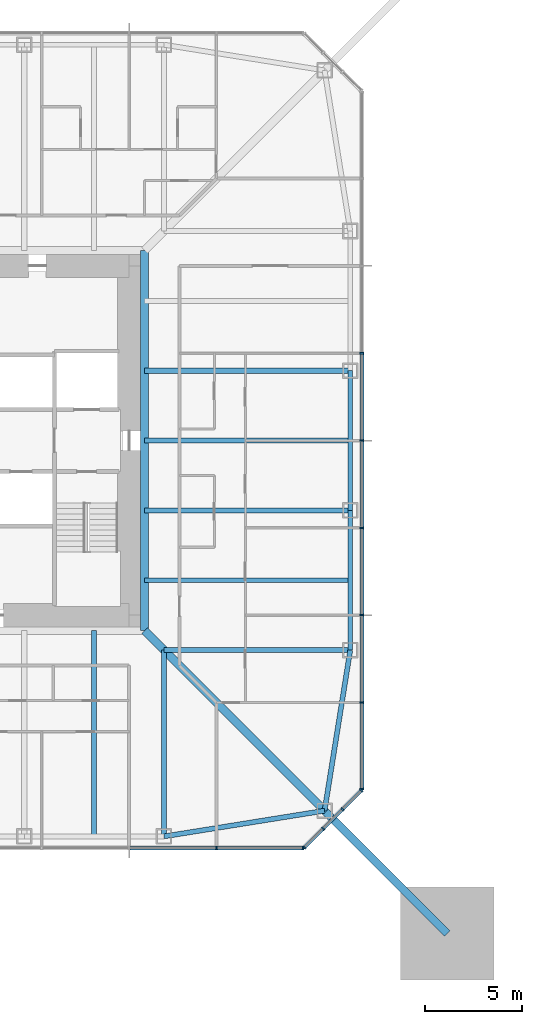
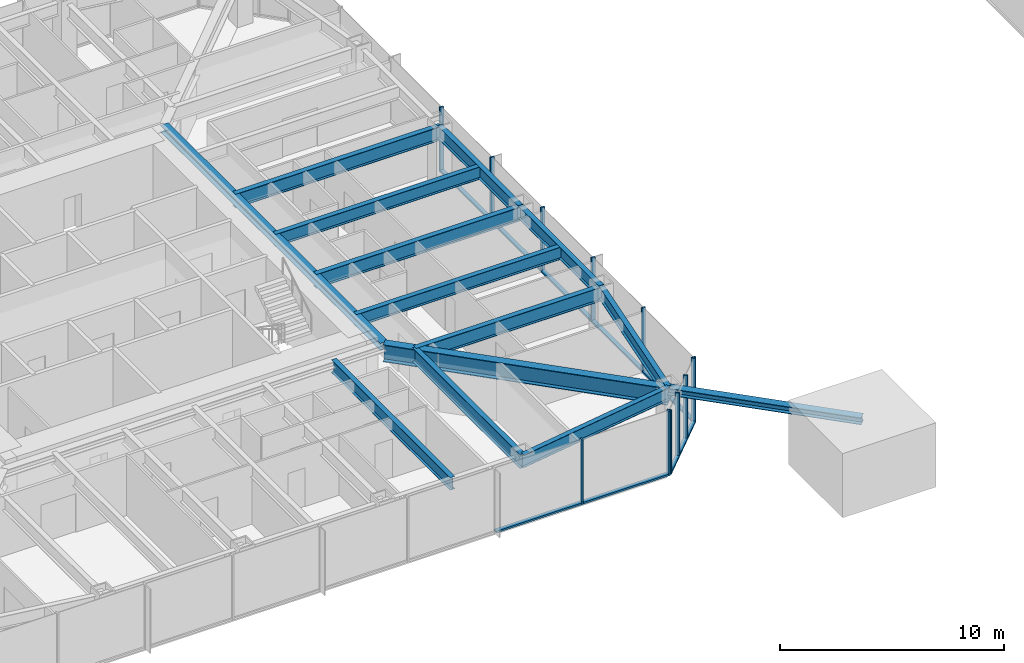
# One storey, part 5 of 25: 23 members, 13 beams, 3 elements without a shape of their own.
"""IFC4 building model written with IfcOpenShell, lengths in metres."""

from ifc_helpers import new_model, si_unit, direction, frame, origin, origin_2d, place, context, subcontext, project, spatial, rectangle, i_section, extrude, material, material_profile, profile_set, type_object, element, aggregate, save


model = new_model("IFC4")

# Units and contexts
model_context = context("Model", 3, precision=1e-05, world=origin(), true_north=direction((0.0, 1.0)))
body_context = subcontext(model_context, "Body", "Model", "MODEL_VIEW")
ifc_project = project(units=[si_unit("LENGTHUNIT", "METRE"), si_unit("AREAUNIT", "SQUARE_METRE"), si_unit("VOLUMEUNIT", "CUBIC_METRE"), si_unit("PLANEANGLEUNIT", "RADIAN"), si_unit("MASSUNIT", "GRAM", prefix="KILO")], contexts=[model_context])

# Site, building, storey
site_placement = place(None, origin())
site = spatial("IfcSite", under=ifc_project, at=site_placement, CompositionType="ELEMENT")
building_placement = place(site_placement, origin())
building = spatial("IfcBuilding", under=site, at=building_placement, Name="Iwan Alto Co-Living Towers", CompositionType="ELEMENT")
storey_placement = place(building_placement, frame((0.0, 0.0, 112.0)))
storey = spatial("IfcBuildingStorey", under=building, at=storey_placement, Name="L30", CompositionType="ELEMENT", Elevation=112.0)

# Curtain wall, members
ifc_material_1 = material(Name="Bronze aluminium unitised frame", Category="aluminium")
curtain_wall_type_1 = type_object("IfcCurtainWallType", Name="CURTAIN WALL CW-A", PredefinedType="NOTDEFINED", material=ifc_material_1)
curtain_wall_1_placement = place(storey_placement, origin())
curtain_wall_1 = element("IfcCurtainWall", 1, at=curtain_wall_1_placement, inside=storey, type_object=curtain_wall_type_1, Name="T1 curtain wall S L30", PredefinedType="NOTDEFINED")
ifc_material_2 = material(Name="Aluminium 6063-T6 bronze anodised", Category="aluminium")
ifc_material_profile_1 = material_profile(ifc_material_2, rectangle(XDim=0.199951171875, YDim=0.080078125, at=origin_2d()), Name="AL 80X200")
ifc_profile_set_1 = profile_set([ifc_material_profile_1], Name="Aluminium 6063-T6 bronze anodised")
member_type_1 = type_object("IfcMemberType", Name="CW-A MULLION 80X200", PredefinedType="MULLION", material=ifc_profile_set_1)
member_1_placement = place(storey_placement, frame((13.5, -21.0, 0.0), z_axis=(0.0, 0.0, 1.0), x_axis=(0.0, 1.0, 0.0)))
member_1 = element("IfcMember", 2, at=member_1_placement, type_object=member_type_1, Name="CW-A mullion 8", PredefinedType="MULLION", context=body_context, shape_type="SweptSolid", body=[
    extrude(rectangle(XDim=0.199951171875, YDim=0.080078125, at=origin_2d()), origin(), (0.0, 0.0, 1.0), 3.5),
])
member_2_placement = place(storey_placement, frame((17.9599609375, -21.0, 0.0), z_axis=(0.0, 0.0, 1.0), x_axis=(0.0, 1.0, 0.0)))
member_2 = element("IfcMember", 3, at=member_2_placement, type_object=member_type_1, Name="CW-A mullion 9", PredefinedType="MULLION", context=body_context, shape_type="SweptSolid", body=[
    extrude(rectangle(XDim=0.199951171875, YDim=0.080078125, at=origin_2d()), origin(), (0.0, 0.0, 1.0), 3.5),
])

curtain_wall_2_placement = place(storey_placement, origin())
curtain_wall_2 = element("IfcCurtainWall", 4, at=curtain_wall_2_placement, inside=storey, type_object=curtain_wall_type_1, Name="T1 curtain wall E L30", PredefinedType="NOTDEFINED")
member_3_placement = place(storey_placement, frame((21.0, -17.9599609375, 0.0), z_axis=(0.0, 0.0, 1.0), x_axis=(-1.0, 0.0, 0.0)))
member_3 = element("IfcMember", 5, at=member_3_placement, type_object=member_type_1, Name="CW-A mullion 1", PredefinedType="MULLION", context=body_context, shape_type="SweptSolid", body=[
    extrude(rectangle(XDim=0.199951171875, YDim=0.080078125, at=origin_2d()), origin(), (0.0, 0.0, 1.0), 3.5),
])
member_4_placement = place(storey_placement, frame((21.0, -13.5, 0.0), z_axis=(0.0, 0.0, 1.0), x_axis=(-1.0, 0.0, 0.0)))
member_4 = element("IfcMember", 6, at=member_4_placement, type_object=member_type_1, Name="CW-A mullion 2", PredefinedType="MULLION", context=body_context, shape_type="SweptSolid", body=[
    extrude(rectangle(XDim=0.199951171875, YDim=0.080078125, at=origin_2d()), origin(), (0.0, 0.0, 1.0), 3.5),
])
member_5_placement = place(storey_placement, frame((21.0, -9.0, 0.0), z_axis=(0.0, 0.0, 1.0), x_axis=(-1.0, 0.0, 0.0)))
member_5 = element("IfcMember", 7, at=member_5_placement, type_object=member_type_1, Name="CW-A mullion 3", PredefinedType="MULLION", context=body_context, shape_type="SweptSolid", body=[
    extrude(rectangle(XDim=0.199951171875, YDim=0.080078125, at=origin_2d()), origin(), (0.0, 0.0, 1.0), 3.5),
])
member_6_placement = place(storey_placement, frame((21.0, -4.5, 0.0), z_axis=(0.0, 0.0, 1.0), x_axis=(-1.0, 0.0, 0.0)))
member_6 = element("IfcMember", 8, at=member_6_placement, type_object=member_type_1, Name="CW-A mullion 4", PredefinedType="MULLION", context=body_context, shape_type="SweptSolid", body=[
    extrude(rectangle(XDim=0.199951171875, YDim=0.080078125, at=origin_2d()), origin(), (0.0, 0.0, 1.0), 3.5),
])
member_7_placement = place(storey_placement, frame((21.0, 0.0, 0.0), z_axis=(0.0, 0.0, 1.0), x_axis=(-1.0, 0.0, 0.0)))
member_7 = element("IfcMember", 9, at=member_7_placement, type_object=member_type_1, Name="CW-A mullion 5", PredefinedType="MULLION", context=body_context, shape_type="SweptSolid", body=[
    extrude(rectangle(XDim=0.199951171875, YDim=0.080078125, at=origin_2d()), origin(), (0.0, 0.0, 1.0), 3.5),
])
member_8_placement = place(storey_placement, frame((21.0, 4.5, 0.0), z_axis=(0.0, 0.0, 1.0), x_axis=(-1.0, 0.0, 0.0)))
member_8 = element("IfcMember", 10, at=member_8_placement, type_object=member_type_1, Name="CW-A mullion 6", PredefinedType="MULLION", context=body_context, shape_type="SweptSolid", body=[
    extrude(rectangle(XDim=0.199951171875, YDim=0.080078125, at=origin_2d()), origin(), (0.0, 0.0, 1.0), 3.5),
])

# Member
ifc_material_3 = material(Name="Aluminium 6063-T6 bronze anodised", Category="aluminium")
ifc_material_profile_2 = material_profile(ifc_material_3, rectangle(XDim=0.199951171875, YDim=0.10009765625, at=origin_2d()), Name="AL 200X100")
ifc_profile_set_2 = profile_set([ifc_material_profile_2], Name="Aluminium 6063-T6 bronze anodised")
member_type_2 = type_object("IfcMemberType", Name="CW-A TRANSOM 200X100", PredefinedType="USERDEFINED", material=ifc_profile_set_2)
member_9_placement = place(storey_placement, frame((9.0400390625, -21.0, 0.050048828125), z_axis=(1.0, 0.0, 0.0), x_axis=(0.0, 1.0, 0.0)))
member_9 = element("IfcMember", 11, at=member_9_placement, type_object=member_type_2, Name="CW-A transom 7.1", ObjectType="TRANSOM", PredefinedType="USERDEFINED", context=body_context, shape_type="SweptSolid", body=[
    extrude(rectangle(XDim=0.199951171875, YDim=0.10009765625, at=origin_2d()), origin(), (0.0, 0.0, 1.0), 4.419921875),
])

member_10_placement = place(storey_placement, frame((13.5400390625, -21.0, 0.050048828125), z_axis=(1.0, 0.0, 0.0), x_axis=(0.0, 1.0, 0.0)))
member_10 = element("IfcMember", 12, at=member_10_placement, type_object=member_type_2, Name="CW-A transom 8.1", ObjectType="TRANSOM", PredefinedType="USERDEFINED", context=body_context, shape_type="SweptSolid", body=[
    extrude(rectangle(XDim=0.199951171875, YDim=0.10009765625, at=origin_2d()), origin(), (0.0, 0.0, 1.0), 4.3798828125),
])

aggregate(curtain_wall_1, [member_1, member_2, member_9, member_10])

member_11_placement = place(storey_placement, frame((21.0, -17.919921875, 0.050048828125), z_axis=(0.0, 1.0, 0.0), x_axis=(-1.0, 0.0, 0.0)))
member_11 = element("IfcMember", 13, at=member_11_placement, type_object=member_type_2, Name="CW-A transom 1.1", ObjectType="TRANSOM", PredefinedType="USERDEFINED", context=body_context, shape_type="SweptSolid", body=[
    extrude(rectangle(XDim=0.199951171875, YDim=0.10009765625, at=origin_2d()), origin(), (0.0, 0.0, 1.0), 4.3798828125),
])

member_12_placement = place(storey_placement, frame((21.0, -13.4599609375, 0.050048828125), z_axis=(0.0, 1.0, 0.0), x_axis=(-1.0, 0.0, 0.0)))
member_12 = element("IfcMember", 14, at=member_12_placement, type_object=member_type_2, Name="CW-A transom 2.1", ObjectType="TRANSOM", PredefinedType="USERDEFINED", context=body_context, shape_type="SweptSolid", body=[
    extrude(rectangle(XDim=0.199951171875, YDim=0.10009765625, at=origin_2d()), origin(), (0.0, 0.0, 1.0), 4.419921875),
])

member_13_placement = place(storey_placement, frame((21.0, -8.9599609375, 0.050048828125), z_axis=(0.0, 1.0, 0.0), x_axis=(-1.0, 0.0, 0.0)))
member_13 = element("IfcMember", 15, at=member_13_placement, type_object=member_type_2, Name="CW-A transom 3.1", ObjectType="TRANSOM", PredefinedType="USERDEFINED", context=body_context, shape_type="SweptSolid", body=[
    extrude(rectangle(XDim=0.199951171875, YDim=0.10009765625, at=origin_2d()), origin(), (0.0, 0.0, 1.0), 4.419921875),
])

member_14_placement = place(storey_placement, frame((21.0, -4.4599609375, 0.050048828125), z_axis=(0.0, 1.0, 0.0), x_axis=(-1.0, 0.0, 0.0)))
member_14 = element("IfcMember", 16, at=member_14_placement, type_object=member_type_2, Name="CW-A transom 4.1", ObjectType="TRANSOM", PredefinedType="USERDEFINED", context=body_context, shape_type="SweptSolid", body=[
    extrude(rectangle(XDim=0.199951171875, YDim=0.10009765625, at=origin_2d()), origin(), (0.0, 0.0, 1.0), 4.419921875),
])

member_15_placement = place(storey_placement, frame((21.0, 0.0400390625, 0.050048828125), z_axis=(0.0, 1.0, 0.0), x_axis=(-1.0, 0.0, 0.0)))
member_15 = element("IfcMember", 17, at=member_15_placement, type_object=member_type_2, Name="CW-A transom 5.1", ObjectType="TRANSOM", PredefinedType="USERDEFINED", context=body_context, shape_type="SweptSolid", body=[
    extrude(rectangle(XDim=0.199951171875, YDim=0.10009765625, at=origin_2d()), origin(), (0.0, 0.0, 1.0), 4.419921875),
])

aggregate(curtain_wall_2, [member_3, member_4, member_5, member_6, member_7, member_8, member_11, member_12, member_13, member_14, member_15])

# Curtain wall, members
ifc_material_4 = material(Name="Bronze aluminium unitised frame", Category="aluminium")
curtain_wall_type_2 = type_object("IfcCurtainWallType", Name="CURTAIN WALL CW-B", PredefinedType="NOTDEFINED", material=ifc_material_4)
curtain_wall_3_placement = place(storey_placement, origin())
curtain_wall_3 = element("IfcCurtainWall", 18, at=curtain_wall_3_placement, inside=storey, type_object=curtain_wall_type_2, Name="T1 chamfer curtain wall SE L30", PredefinedType="NOTDEFINED")
ifc_material_5 = material(Name="Aluminium 6063-T6 bronze anodised", Category="aluminium")
ifc_material_profile_3 = material_profile(ifc_material_5, rectangle(XDim=0.199951171875, YDim=0.080078125, at=origin_2d()), Name="AL 80X200")
ifc_profile_set_3 = profile_set([ifc_material_profile_3], Name="Aluminium 6063-T6 bronze anodised")
member_type_3 = type_object("IfcMemberType", Name="CW-B MULLION 80X200", PredefinedType="MULLION", material=ifc_profile_set_3)
member_16_placement = place(storey_placement, frame((18.0283203125, -20.9716796875, 0.0), z_axis=(0.0, 0.0, 1.0), x_axis=(-0.707106781187, 0.707106781187, 0.0)))
member_16 = element("IfcMember", 19, at=member_16_placement, type_object=member_type_3, Name="CW-B mullion 1", PredefinedType="MULLION", context=body_context, shape_type="SweptSolid", body=[
    extrude(rectangle(XDim=0.199951171875, YDim=0.080078125, at=origin_2d()), origin(), (0.0, 0.0, 1.0), 3.5),
])
member_17_placement = place(storey_placement, frame((19.0, -20.0, 0.0), z_axis=(0.0, 0.0, 1.0), x_axis=(-0.707106781187, 0.707106781187, 0.0)))
member_17 = element("IfcMember", 20, at=member_17_placement, type_object=member_type_3, Name="CW-B mullion 2", PredefinedType="MULLION", context=body_context, shape_type="SweptSolid", body=[
    extrude(rectangle(XDim=0.199951171875, YDim=0.080078125, at=origin_2d()), origin(), (0.0, 0.0, 1.0), 3.5),
])
member_18_placement = place(storey_placement, frame((20.0, -19.0, 0.0), z_axis=(0.0, 0.0, 1.0), x_axis=(-0.707106781187, 0.707106781187, 0.0)))
member_18 = element("IfcMember", 21, at=member_18_placement, type_object=member_type_3, Name="CW-B mullion 3", PredefinedType="MULLION", context=body_context, shape_type="SweptSolid", body=[
    extrude(rectangle(XDim=0.199951171875, YDim=0.080078125, at=origin_2d()), origin(), (0.0, 0.0, 1.0), 3.5),
])
member_19_placement = place(storey_placement, frame((20.9716796875, -18.0283203125, 0.0), z_axis=(0.0, 0.0, 1.0), x_axis=(-0.707106781187, 0.707106781187, 0.0)))
member_19 = element("IfcMember", 22, at=member_19_placement, type_object=member_type_3, Name="CW-B mullion 4", PredefinedType="MULLION", context=body_context, shape_type="SweptSolid", body=[
    extrude(rectangle(XDim=0.199951171875, YDim=0.080078125, at=origin_2d()), origin(), (0.0, 0.0, 1.0), 3.5),
])
ifc_material_6 = material(Name="Aluminium 6063-T6 bronze anodised", Category="aluminium")
ifc_material_profile_4 = material_profile(ifc_material_6, rectangle(XDim=0.199951171875, YDim=0.10009765625, at=origin_2d()), Name="AL 200X100")
ifc_profile_set_4 = profile_set([ifc_material_profile_4], Name="Aluminium 6063-T6 bronze anodised")
member_type_4 = type_object("IfcMemberType", Name="CW-B TRANSOM 200X100", PredefinedType="USERDEFINED", material=ifc_profile_set_4)
member_20_placement = place(storey_placement, frame((18.056640625, -20.943359375, 0.050048828125), z_axis=(0.707106781187, 0.707106781187, 0.0), x_axis=(-0.707106781187, 0.707106781187, 0.0)))
member_20 = element("IfcMember", 23, at=member_20_placement, type_object=member_type_4, Name="CW-B transom 1.1", ObjectType="TRANSOM", PredefinedType="USERDEFINED", context=body_context, shape_type="SweptSolid", body=[
    extrude(rectangle(XDim=0.199951171875, YDim=0.10009765625, at=origin_2d()), origin(), (0.0, 0.0, 1.0), 1.2939453125),
])
member_21_placement = place(storey_placement, frame((19.0283203125, -19.9716796875, 0.050048828125), z_axis=(0.707106781187, 0.707106781187, 0.0), x_axis=(-0.707106781187, 0.707106781187, 0.0)))
member_21 = element("IfcMember", 24, at=member_21_placement, type_object=member_type_4, Name="CW-B transom 2.1", ObjectType="TRANSOM", PredefinedType="USERDEFINED", context=body_context, shape_type="SweptSolid", body=[
    extrude(rectangle(XDim=0.199951171875, YDim=0.10009765625, at=origin_2d()), origin(), (0.0, 0.0, 1.0), 1.334228515625),
])
member_22_placement = place(storey_placement, frame((20.0283203125, -18.9716796875, 0.050048828125), z_axis=(0.707106781187, 0.707106781187, 0.0), x_axis=(-0.707106781187, 0.707106781187, 0.0)))
member_22 = element("IfcMember", 25, at=member_22_placement, type_object=member_type_4, Name="CW-B transom 3.1", ObjectType="TRANSOM", PredefinedType="USERDEFINED", context=body_context, shape_type="SweptSolid", body=[
    extrude(rectangle(XDim=0.199951171875, YDim=0.10009765625, at=origin_2d()), origin(), (0.0, 0.0, 1.0), 1.2939453125),
])
aggregate(curtain_wall_3, [member_16, member_17, member_18, member_19, member_20, member_21, member_22])

# Beams
ifc_material_7 = material(Name="Steel ASTM A992 Gr 50", Category="steel")
ifc_material_profile_5 = material_profile(ifc_material_7, i_section(OverallWidth=0.398681640625, OverallDepth=0.385986328125, WebThickness=0.02099609375, FlangeThickness=0.033203125, at=origin_2d()), Name="W14X176")
ifc_profile_set_5 = profile_set([ifc_material_profile_5], Name="Steel ASTM A992 Gr 50")
beam_type_1 = type_object("IfcBeamType", Name="T1 CORE LEDGER BEAM W14X176", PredefinedType="BEAM", material=ifc_profile_set_5)
beam_1_placement = place(storey_placement, frame((9.79931640625, -9.79931640625, 3.076904296875), z_axis=(0.0, 1.0, 0.0), x_axis=(-1.0, 0.0, 0.0)))
element("IfcBeam", 26, at=beam_1_placement, inside=storey, type_object=beam_type_1, Name="T1 core ledger beam E L31", PredefinedType="BEAM", context=body_context, shape_type="SweptSolid", body=[
    extrude(i_section(OverallWidth=0.398681640625, OverallDepth=0.385986328125, WebThickness=0.02099609375, FlangeThickness=0.033203125, at=origin_2d()), origin(), (0.0, 0.0, 1.0), 19.5986328125),
])
ifc_material_8 = material(Name="Steel ASTM A992 Gr 50", Category="steel")
ifc_material_profile_6 = material_profile(ifc_material_8, i_section(OverallWidth=0.419189453125, OverallDepth=0.927001953125, WebThickness=0.019287109375, FlangeThickness=0.031982421875, at=origin_2d()), Name="W36X231")
ifc_profile_set_6 = profile_set([ifc_material_profile_6], Name="Steel ASTM A992 Gr 50")
beam_type_2 = type_object("IfcBeamType", Name="T1 CORNER GIRDER W36X231", PredefinedType="BEAM", material=ifc_profile_set_6)
beam_2_placement = place(storey_placement, frame((19.07568359375, -19.07568359375, 2.806396484375), z_axis=(-0.707106781187, 0.707106781187, 0.0), x_axis=(-0.707106781187, -0.707106781187, 0.0)))
element("IfcBeam", 27, at=beam_2_placement, inside=storey, type_object=beam_type_2, Name="T1 corner girder CSE L31", PredefinedType="BEAM", context=body_context, shape_type="SweptSolid", body=[
    extrude(i_section(OverallWidth=0.419189453125, OverallDepth=0.927001953125, WebThickness=0.019287109375, FlangeThickness=0.031982421875, at=origin_2d()), origin(), (0.0, 0.0, 1.0), 13.11865234375),
])
ifc_material_9 = material(Name="Steel ASTM A992 Gr 50", Category="steel")
ifc_material_profile_7 = material_profile(ifc_material_9, i_section(OverallWidth=0.25390625, OverallDepth=0.683349609375, WebThickness=0.012451171875, FlangeThickness=0.018798828125, at=origin_2d()), Name="W27X94")
ifc_profile_set_7 = profile_set([ifc_material_profile_7], Name="Steel ASTM A992 Gr 50")
beam_type_3 = type_object("IfcBeamType", Name="T1 EDGE BEAM W27X94", PredefinedType="BEAM", material=ifc_profile_set_7)
for number, where, z_axis, x_axis, name in (
    (28, (10.800048828125, -20.39990234375, 2.928466796875), (0.987438450439, 0.158004134737, 0.0), (-0.158004134737, 0.987438450439, 0.0), "T1 edge beam S4 L31"),
    (29, (19.07568359375, -19.07568359375, 2.928466796875), (0.158004134737, 0.987438450439, 0.0), (-0.987438450439, 0.158004134737, 0.0), "T1 edge beam CSE L31"),
):
    element("IfcBeam", number, at=place(storey_placement, frame(where, z_axis=z_axis, x_axis=x_axis)), inside=storey, type_object=beam_type_3, Name=name, PredefinedType="BEAM", context=body_context, shape_type="SweptSolid", body=[
        extrude(i_section(OverallWidth=0.25390625, OverallDepth=0.683349609375, WebThickness=0.012451171875, FlangeThickness=0.018798828125, at=origin_2d()), origin(), (0.0, 0.0, 1.0), 8.380859375),
    ])
beam_3_placement = place(storey_placement, frame((20.39990234375, -10.800048828125, 2.928466796875), z_axis=(0.0, 1.0, 0.0), x_axis=(-1.0, 0.0, 0.0)))
element("IfcBeam", 30, at=beam_3_placement, inside=storey, type_object=beam_type_3, Name="T1 edge beam E1 L31", PredefinedType="BEAM", context=body_context, shape_type="SweptSolid", body=[
    extrude(i_section(OverallWidth=0.25390625, OverallDepth=0.683349609375, WebThickness=0.012451171875, FlangeThickness=0.018798828125, at=origin_2d()), origin(), (0.0, 0.0, 1.0), 7.199951171875),
])
beam_4_placement = place(storey_placement, frame((20.39990234375, -3.60009765625, 2.928466796875), z_axis=(0.0, 1.0, 0.0), x_axis=(-1.0, 0.0, 0.0)))
element("IfcBeam", 31, at=beam_4_placement, inside=storey, type_object=beam_type_3, Name="T1 edge beam E2 L31", PredefinedType="BEAM", context=body_context, shape_type="SweptSolid", body=[
    extrude(i_section(OverallWidth=0.25390625, OverallDepth=0.683349609375, WebThickness=0.012451171875, FlangeThickness=0.018798828125, at=origin_2d()), origin(), (0.0, 0.0, 1.0), 7.2001953125),
])

# Member
ifc_material_10 = material(Name="Steel ASTM A992 Gr 50", Category="steel")
ifc_material_profile_8 = material_profile(ifc_material_10, i_section(OverallWidth=0.393798828125, OverallDepth=0.3759765625, WebThickness=0.017333984375, FlangeThickness=0.027587890625, at=origin_2d()), Name="W14X145")
ifc_profile_set_8 = profile_set([ifc_material_profile_8], Name="Steel ASTM A992 Gr 50")
member_type_5 = type_object("IfcMemberType", Name="T1 MEGA COLUMN FLOOR TIE W14X145", PredefinedType="STRUT", material=ifc_profile_set_8)
member_23_placement = place(storey_placement, frame((25.39990234375, -25.39990234375, 3.08203125), z_axis=(-0.707106781187, 0.707106781187, 0.0), x_axis=(-0.707106781187, -0.707106781187, 0.0)))
element("IfcMember", 32, at=member_23_placement, inside=storey, type_object=member_type_5, Name="T1 mega column floor tie SE L31", PredefinedType="STRUT", context=body_context, shape_type="SweptSolid", body=[
    extrude(i_section(OverallWidth=0.393798828125, OverallDepth=0.3759765625, WebThickness=0.017333984375, FlangeThickness=0.027587890625, at=origin_2d()), origin(), (0.0, 0.0, 1.0), 8.94384765625),
])

# Beams
ifc_material_11 = material(Name="Steel ASTM A992 Gr 50", Category="steel")
ifc_material_profile_9 = material_profile(ifc_material_11, i_section(OverallWidth=0.2666015625, OverallDepth=0.761962890625, WebThickness=0.014404296875, FlangeThickness=0.021484375, at=origin_2d()), Name="W30X116")
ifc_profile_set_9 = profile_set([ifc_material_profile_9], Name="Steel ASTM A992 Gr 50")
beam_type_4 = type_object("IfcBeamType", Name="T1 RADIAL BEAM W30X116", PredefinedType="BEAM", material=ifc_profile_set_9)
for number, where, z_axis, x_axis, name in (
    (33, (10.800048828125, -20.39990234375, 2.888916015625), (0.0, 1.0, 0.0), (-1.0, 0.0, 0.0), "T1 radial beam S4 L31"),
    (34, (20.39990234375, -10.800048828125, 2.888916015625), (-1.0, 0.0, 0.0), (0.0, -1.0, 0.0), "T1 radial beam E1 L31"),
):
    element("IfcBeam", number, at=place(storey_placement, frame(where, z_axis=z_axis, x_axis=x_axis)), inside=storey, type_object=beam_type_4, Name=name, PredefinedType="BEAM", context=body_context, shape_type="SweptSolid", body=[
        extrude(i_section(OverallWidth=0.2666015625, OverallDepth=0.761962890625, WebThickness=0.014404296875, FlangeThickness=0.021484375, at=origin_2d()), origin(), (0.0, 0.0, 1.0), 9.599853515625),
    ])
for number, where, z_axis, x_axis, name in (
    (35, (20.39990234375, -3.60009765625, 2.888916015625), (-1.0, 0.0, 0.0), (0.0, -1.0, 0.0), "T1 radial beam E2 L31"),
    (36, (20.39990234375, 3.60009765625, 2.888916015625), (-1.0, 0.0, 0.0), (0.0, -1.0, 0.0), "T1 radial beam E3 L31"),
):
    element("IfcBeam", number, at=place(storey_placement, frame(where, z_axis=z_axis, x_axis=x_axis)), inside=storey, type_object=beam_type_4, Name=name, PredefinedType="BEAM", context=body_context, shape_type="SweptSolid", body=[
        extrude(i_section(OverallWidth=0.2666015625, OverallDepth=0.761962890625, WebThickness=0.014404296875, FlangeThickness=0.021484375, at=origin_2d()), origin(), (0.0, 0.0, 1.0), 10.6005859375),
    ])
ifc_material_12 = material(Name="Steel ASTM A992 Gr 50", Category="steel")
ifc_material_profile_10 = material_profile(ifc_material_12, i_section(OverallWidth=0.25390625, OverallDepth=0.683349609375, WebThickness=0.012451171875, FlangeThickness=0.018798828125, at=origin_2d()), Name="W27X94")
ifc_profile_set_10 = profile_set([ifc_material_profile_10], Name="Steel ASTM A992 Gr 50")
beam_type_5 = type_object("IfcBeamType", Name="T1 SECONDARY BEAM W27X94", PredefinedType="JOIST", material=ifc_profile_set_10)
for number, where, z_axis, x_axis, name in (
    (37, (7.199951171875, -20.39990234375, 2.928466796875), (0.0, 1.0, 0.0), (-1.0, 0.0, 0.0), "T1 secondary beam S3 L31"),
    (38, (20.39990234375, -7.199951171875, 2.928466796875), (-1.0, 0.0, 0.0), (0.0, -1.0, 0.0), "T1 secondary beam E1 L31"),
    (39, (20.39990234375, 0.0, 2.928466796875), (-1.0, 0.0, 0.0), (0.0, -1.0, 0.0), "T1 secondary beam E2 L31"),
):
    element("IfcBeam", number, at=place(storey_placement, frame(where, z_axis=z_axis, x_axis=x_axis)), inside=storey, type_object=beam_type_5, Name=name, PredefinedType="JOIST", context=body_context, shape_type="SweptSolid", body=[
        extrude(i_section(OverallWidth=0.25390625, OverallDepth=0.683349609375, WebThickness=0.012451171875, FlangeThickness=0.018798828125, at=origin_2d()), origin(), (0.0, 0.0, 1.0), 10.6005859375),
    ])

save(model, "model.ifc")
